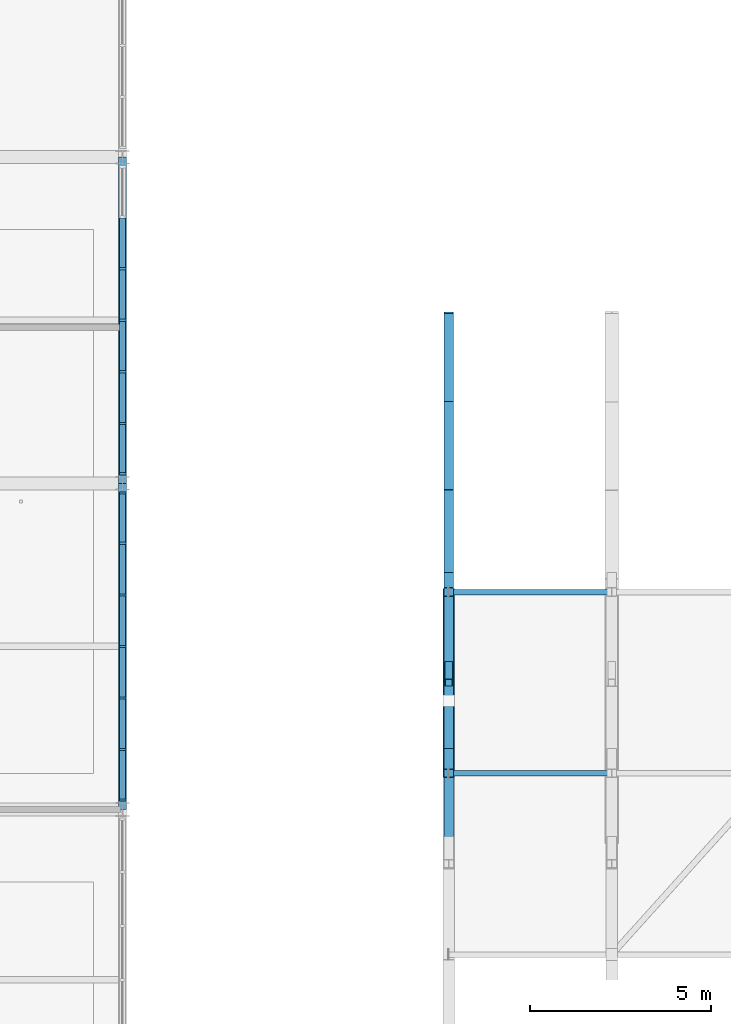
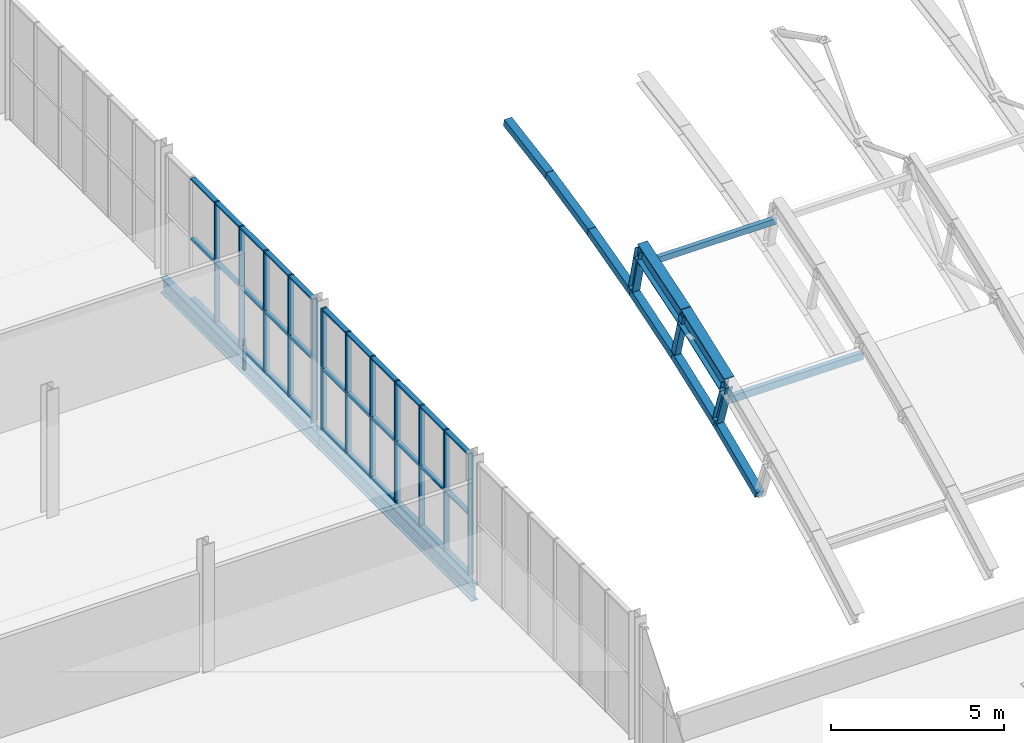
# One storey, part 31 of 103: 56 members, 4 beams, 2 elements without a shape of their own.
"""IFC4 building model written with IfcOpenShell, lengths in metres."""

import ifcopenshell
import ifcopenshell.guid

model = None  # the IFC model being written
_history = None  # IfcOwnerHistory: only IFC2X3 demands one
_inside = {}  # id of a spatial element -> (the spatial element, [elements in it])
_under = {}  # id of a project, library or spatial element -> (it, [spatial elements below it])
_declared = {}  # id of a project -> (the project, [libraries it declares])
_typed = {}  # id of a type object -> (the type object, [elements of that type])
_made_of = {}  # id of a material, layer set ... -> (it, [elements and type objects made of it])


def new_model(schema):
    """Start an empty IFC model of exactly this schema.

    Asked for "IFC4X3", IfcOpenShell would pick the latest addendum, in which some entities
    have other attributes; the version numbers below select the first issue.
    IFC2X3 requires an IfcOwnerHistory on every rooted entity: one is made here for all.
    """
    global model, _history
    if schema == "IFC4X3":
        model = ifcopenshell.file(schema_version=(4, 3, 0, 0))
    else:
        model = ifcopenshell.file(schema=schema)
    _inside.clear()
    _under.clear()
    _declared.clear()
    _typed.clear()
    _made_of.clear()
    _history = None
    if model.schema == "IFC2X3":
        org = make("IfcOrganization", Name="unknown")
        user = make(
            "IfcPersonAndOrganization",
            ThePerson=make("IfcPerson", FamilyName="unknown"),
            TheOrganization=org,
        )
        app = make(
            "IfcApplication",
            ApplicationDeveloper=org,
            Version="unknown",
            ApplicationFullName="unknown",
            ApplicationIdentifier="unknown",
        )
        _history = make(
            "IfcOwnerHistory",
            OwningUser=user,
            OwningApplication=app,
            ChangeAction="ADDED",
            CreationDate=0,
        )
    return model


def make(cls, **values):
    """One entity of the class cls with the attributes given. An attribute that is None is left unset."""
    return model.create_entity(
        cls, **{name: value for name, value in values.items() if value is not None}
    )


def rooted(cls, **values):
    """An entity with a GlobalId (a new one), such as an element, a storey or a relation."""
    return make(cls, GlobalId=ifcopenshell.guid.new(), OwnerHistory=_history, **values)


def si_unit(unit_type, name, prefix=None):
    """IfcSIUnit, for example si_unit("LENGTHUNIT", "METRE", prefix="MILLI")."""
    return make("IfcSIUnit", UnitType=unit_type, Prefix=prefix, Name=name)


def assignment(units):
    """IfcUnitAssignment: the units of a project."""
    return None if units is None else make("IfcUnitAssignment", Units=units)


def point(xyz):
    """IfcCartesianPoint."""
    return None if xyz is None else make("IfcCartesianPoint", Coordinates=xyz)


def direction(xyz):
    """IfcDirection."""
    return None if xyz is None else make("IfcDirection", DirectionRatios=xyz)


def frame(location, z_axis=None, x_axis=None):
    """IfcAxis2Placement3D, a coordinate frame: its origin and axes. An axis left out is left unset."""
    return make(
        "IfcAxis2Placement3D",
        Location=point(location),
        Axis=direction(z_axis),
        RefDirection=direction(x_axis),
    )


def frame_2d(location, x_axis=None):
    """IfcAxis2Placement2D, a coordinate frame in the plane: its origin and x axis."""
    return make(
        "IfcAxis2Placement2D", Location=point(location), RefDirection=direction(x_axis)
    )


def origin():
    """The frame at (0, 0, 0) with its axes left unset."""
    return frame((0.0, 0.0, 0.0))


def origin_2d():
    """The frame at (0, 0) in the plane with its x axis left unset."""
    return frame_2d((0.0, 0.0))


def place(relative_to, where):
    """IfcLocalPlacement: puts the frame where relative to a parent placement (None: the world)."""
    return make(
        "IfcLocalPlacement", PlacementRelTo=relative_to, RelativePlacement=where
    )


def context(
    kind, dimensions, precision=None, world=None, true_north=None, identifier=None
):
    """IfcGeometricRepresentationContext, for example the 3D "Model" context."""
    return make(
        "IfcGeometricRepresentationContext",
        ContextIdentifier=identifier,
        ContextType=kind,
        CoordinateSpaceDimension=dimensions,
        Precision=precision,
        WorldCoordinateSystem=world,
        TrueNorth=true_north,
    )


def subcontext(parent, identifier, kind, view, scale=None):
    """IfcGeometricRepresentationSubContext, for example "Body" below "Model"."""
    return make(
        "IfcGeometricRepresentationSubContext",
        ContextIdentifier=identifier,
        ContextType=kind,
        ParentContext=parent,
        TargetScale=scale,
        TargetView=view,
    )


def project(units=None, contexts=None):
    """IfcProject with its units and contexts."""
    return rooted(
        "IfcProject",
        Name="project",
        RepresentationContexts=contexts,
        UnitsInContext=assignment(units),
    )


def spatial(cls, under=None, at=None, **own):
    """A site, building, storey or space (cls), placed at a placement, below another one or the project."""
    s = rooted(cls, ObjectPlacement=at, **own)
    if under is not None:
        _under.setdefault(under.id(), (under, []))[1].append(s)
    return s


def profile(cls, at=None, kind="AREA", **sizes):
    """A parametric profile (cls). Its sizes go by their IFC names, for example OverallWidth=200.0."""
    return make(cls, ProfileType=kind, Position=at, **sizes)


def rectangle(**sizes):
    """IfcRectangleProfileDef."""
    return profile("IfcRectangleProfileDef", **sizes)


def hollow_rectangle(**sizes):
    """IfcRectangleHollowProfileDef."""
    return profile("IfcRectangleHollowProfileDef", **sizes)


def i_section(**sizes):
    """IfcIShapeProfileDef."""
    return profile("IfcIShapeProfileDef", **sizes)


def extrude(swept, where, along, depth):
    """IfcExtrudedAreaSolid: the profile swept, set in the frame where, extruded along a direction by depth."""
    return make(
        "IfcExtrudedAreaSolid",
        SweptArea=swept,
        Position=where,
        ExtrudedDirection=direction(along),
        Depth=depth,
    )


def shape(context_of_items, identifier, shape_type, items):
    """IfcShapeRepresentation: the items that make up one representation, for example the "Body"."""
    return make(
        "IfcShapeRepresentation",
        ContextOfItems=context_of_items,
        RepresentationIdentifier=identifier,
        RepresentationType=shape_type,
        Items=items,
    )


def material(Name=None, Category=None):
    """IfcMaterial."""
    return make("IfcMaterial", Name=Name, Category=Category)


def layer(
    of_material, thickness, ventilated=None, Name=None, Category=None, Priority=None
):
    """IfcMaterialLayer: one layer of a wall or slab, of a material (None: an air gap)."""
    return make(
        "IfcMaterialLayer",
        Material=of_material,
        LayerThickness=thickness,
        IsVentilated=ventilated,
        Name=Name,
        Category=Category,
        Priority=Priority,
    )


def layer_set(layers, Name=None):
    """IfcMaterialLayerSet."""
    return make("IfcMaterialLayerSet", MaterialLayers=layers, LayerSetName=Name)


def material_profile(
    of_material, cross_section, Name=None, Category=None, Priority=None
):
    """IfcMaterialProfile: a cross section and its material."""
    return make(
        "IfcMaterialProfile",
        Name=Name,
        Material=of_material,
        Profile=cross_section,
        Priority=Priority,
        Category=Category,
    )


def profile_set(profiles, Name=None, composite=None):
    """IfcMaterialProfileSet."""
    return make(
        "IfcMaterialProfileSet",
        Name=Name,
        MaterialProfiles=profiles,
        CompositeProfile=composite,
    )


def made_of(thing, what):
    """Note that an element or type object is made of a material, layer set ...; save() writes the relation."""
    if what is not None:
        _made_of.setdefault(what.id(), (what, []))[1].append(thing)
    return thing


def type_object(cls, material=None, **own):
    """A type object (cls), such as IfcWallType, which elements share."""
    return made_of(rooted(cls, **own), material)


def element(
    cls,
    number,
    at=None,
    inside=None,
    cuts=None,
    type_object=None,
    material=None,
    context=None,
    identifier="Body",
    shape_type=None,
    held_by="IfcProductDefinitionShape",
    body=None,
    shapes=None,
    **own,
):
    """One element of the class cls, such as IfcWall. Its Tag is "e" and its number.

    at: its placement. inside: the storey or other place that contains it. cuts: it is an
    opening in that element (IfcRelVoidsElement). A single representation is given by context,
    identifier, shape_type and body (its items); several are given by shapes. held_by: the class
    of the entity that holds the representations. save() writes the other relations.
    """
    e = rooted(cls, Tag="e%d" % number, ObjectPlacement=at, **own)
    if body is not None:
        shapes = [shape(context, identifier, shape_type, body)]
    if shapes is not None:
        e.Representation = make(held_by, Representations=shapes)
    if inside is not None:
        _inside.setdefault(inside.id(), (inside, []))[1].append(e)
    if cuts is not None:
        rooted(
            "IfcRelVoidsElement", RelatingBuildingElement=cuts, RelatedOpeningElement=e
        )
    if type_object is not None:
        _typed.setdefault(type_object.id(), (type_object, []))[1].append(e)
    return made_of(e, material)


def aggregate(whole, parts):
    """IfcRelAggregates: a whole, such as a stair, and the parts it consists of."""
    return rooted("IfcRelAggregates", RelatingObject=whole, RelatedObjects=parts)


def save(model, path):
    """Write the relations noted so far, then the file.

    IfcRelAggregates (storeys below a building ...), IfcRelContainedInSpatialStructure (elements
    in a storey), IfcRelDefinesByType, IfcRelAssociatesMaterial and IfcRelDeclares: one each for
    every whole, place, type object, material and project.
    """
    for whole, parts in _under.values():
        aggregate(whole, parts)
    for where, things in _inside.values():
        rooted(
            "IfcRelContainedInSpatialStructure",
            RelatedElements=things,
            RelatingStructure=where,
        )
    for kind, things in _typed.values():
        rooted("IfcRelDefinesByType", RelatedObjects=things, RelatingType=kind)
    for what, things in _made_of.values():
        rooted("IfcRelAssociatesMaterial", RelatedObjects=things, RelatingMaterial=what)
    for by, libraries in _declared.values():
        rooted("IfcRelDeclares", RelatingContext=by, RelatedDefinitions=libraries)
    model.write(path)


model = new_model("IFC4")

# Units and contexts
model_context = context("Model", 3, precision=1e-05, world=origin(), true_north=direction((0.0, 1.0)))
body_context = subcontext(model_context, "Body", "Model", "MODEL_VIEW")
ifc_project = project(units=[si_unit("LENGTHUNIT", "METRE"), si_unit("AREAUNIT", "SQUARE_METRE"), si_unit("VOLUMEUNIT", "CUBIC_METRE"), si_unit("PLANEANGLEUNIT", "RADIAN"), si_unit("MASSUNIT", "GRAM", prefix="KILO")], contexts=[model_context])

# Site, building, storey
site_placement = place(None, origin())
site = spatial("IfcSite", under=ifc_project, at=site_placement, CompositionType="ELEMENT")
building_placement = place(site_placement, origin())
building = spatial("IfcBuilding", under=site, at=building_placement, Name="Cazmaro Siding Exhibition Halls", CompositionType="ELEMENT")
storey_placement = place(building_placement, frame((0.0, 0.0, 16.5)))
storey = spatial("IfcBuildingStorey", under=building, at=storey_placement, Name="L03", CompositionType="ELEMENT", Elevation=16.5)

# Beams
ifc_material_1 = material(Name="Steel ASTM A992 Grade 50", Category="steel")
ifc_material_profile_1 = material_profile(ifc_material_1, i_section(OverallWidth=0.327880859375, OverallDepth=0.626953125, WebThickness=0.01708984375, FlangeThickness=0.028076171875, at=origin_2d()), Name="W24X146")
ifc_profile_set_1 = profile_set([ifc_material_profile_1], Name="Steel ASTM A992 Grade 50")
beam_type_1 = type_object("IfcBeamType", Name="AR-01", PredefinedType="USERDEFINED", material=ifc_profile_set_1)
beam_1_placement = place(storey_placement, frame((45.0, 74.0, 3.1220703125), z_axis=(0.0, 0.936509460339, 0.350642311615), x_axis=(-1.0, 0.0, 0.0)))
element("IfcBeam", 1, at=beam_1_placement, inside=storey, type_object=beam_type_1, Name="Space frame barrel vault arched rib AR-01 BM-0539", ObjectType="ARCHED RIB", PredefinedType="USERDEFINED", context=body_context, shape_type="SweptSolid", body=[
    extrude(i_section(OverallWidth=0.327880859375, OverallDepth=0.626953125, WebThickness=0.01708984375, FlangeThickness=0.028076171875, at=origin_2d()), origin(), (0.0, 0.0, 1.0), 2.66943359375),
])
beam_2_placement = place(storey_placement, frame((45.0, 76.5, 4.05810546875), z_axis=(0.0, 0.952769241759, 0.303695195811), x_axis=(-1.0, 0.0, 0.0)))
element("IfcBeam", 2, at=beam_2_placement, inside=storey, type_object=beam_type_1, Name="Space frame barrel vault arched rib AR-01 BM-0540", ObjectType="ARCHED RIB", PredefinedType="USERDEFINED", context=body_context, shape_type="SweptSolid", body=[
    extrude(i_section(OverallWidth=0.327880859375, OverallDepth=0.626953125, WebThickness=0.01708984375, FlangeThickness=0.028076171875, at=origin_2d()), origin(), (0.0, 0.0, 1.0), 2.6240234375),
])
ifc_material_2 = material(Name="Steel ASTM A992 Grade 50", Category="steel")
ifc_material_profile_2 = material_profile(ifc_material_2, i_section(OverallWidth=0.214111328125, OverallDepth=0.549072265625, WebThickness=0.014892578125, FlangeThickness=0.02392578125, at=origin_2d()), Name="W21X93")
ifc_profile_set_2 = profile_set([ifc_material_profile_2], Name="Steel ASTM A992 Grade 50")
beam_type_2 = type_object("IfcBeamType", Name="B-01", PredefinedType="BEAM", material=ifc_profile_set_2)
for number, where, z_axis, x_axis, name in (
    (3, (36.0, 73.0, -0.493896484375), (0.0, 1.0, 0.0), (-1.0, 0.0, 0.0), "Beam B-01 BM-2272"),
    (4, (36.0, 82.0, -0.493896484375), (0.0, 1.0, 0.0), (-1.0, 0.0, 0.0), "Beam B-01 BM-2273"),
):
    element("IfcBeam", number, at=place(storey_placement, frame(where, z_axis=z_axis, x_axis=x_axis)), inside=storey, type_object=beam_type_2, Name=name, PredefinedType="BEAM", context=body_context, shape_type="SweptSolid", body=[
        extrude(i_section(OverallWidth=0.214111328125, OverallDepth=0.549072265625, WebThickness=0.014892578125, FlangeThickness=0.02392578125, at=origin_2d()), origin(), (0.0, 0.0, 1.0), 9.0),
    ])

# Curtain wall, members
ifc_material_3 = material(Name="Anodized Bronze Aluminum and Solar-Control Low-E Glazing", Category="aluminium")
ifc_layer = layer(ifc_material_3, 0.179931640625)
ifc_layer_set = layer_set([ifc_layer], Name="Anodized Bronze Aluminum and Solar-Control Low-E Glazing")
curtain_wall_type = type_object("IfcCurtainWallType", Name="CWS-01", PredefinedType="USERDEFINED", material=ifc_layer_set)
curtain_wall_1_placement = place(storey_placement, origin())
curtain_wall_1 = element("IfcCurtainWall", 5, at=curtain_wall_1_placement, inside=storey, type_object=curtain_wall_type, Name="Glazed Curtain Wall CWS-01 CW-250", ObjectType="GLAZED CURTAIN WALL", PredefinedType="USERDEFINED")
ifc_material_4 = material(Name="Anodized Bronze Extruded Aluminum", Category="aluminium")
ifc_material_profile_3 = material_profile(ifc_material_4, rectangle(XDim=0.179931640625, YDim=0.06005859375, at=origin_2d()), Name="CWM-01")
ifc_profile_set_3 = profile_set([ifc_material_profile_3], Name="Anodized Bronze Extruded Aluminum")
member_type_1 = type_object("IfcMemberType", Name="CWM-01", PredefinedType="MULLION", material=ifc_profile_set_3)
member_1_placement = place(storey_placement, frame((36.0, 73.262939453125, 0.0), z_axis=(0.0, 0.0, 1.0), x_axis=(-1.0, 0.0, 0.0)))
member_1 = element("IfcMember", 6, at=member_1_placement, type_object=member_type_1, Name="CWS-01 mullion 1", PredefinedType="MULLION", context=body_context, shape_type="SweptSolid", body=[
    extrude(rectangle(XDim=0.179931640625, YDim=0.06005859375, at=origin_2d()), origin(), (0.0, 0.0, 1.0), 4.280029296875),
])
member_2_placement = place(storey_placement, frame((36.0, 74.6552734375, 0.0), z_axis=(0.0, 0.0, 1.0), x_axis=(-1.0, 0.0, 0.0)))
member_2 = element("IfcMember", 7, at=member_2_placement, type_object=member_type_1, Name="CWS-01 mullion 2", PredefinedType="MULLION", context=body_context, shape_type="SweptSolid", body=[
    extrude(rectangle(XDim=0.179931640625, YDim=0.06005859375, at=origin_2d()), origin(), (0.0, 0.0, 1.0), 4.280029296875),
])
member_3_placement = place(storey_placement, frame((36.0, 76.07763671875, 0.0), z_axis=(0.0, 0.0, 1.0), x_axis=(-1.0, 0.0, 0.0)))
member_3 = element("IfcMember", 8, at=member_3_placement, type_object=member_type_1, Name="CWS-01 mullion 3", PredefinedType="MULLION", context=body_context, shape_type="SweptSolid", body=[
    extrude(rectangle(XDim=0.179931640625, YDim=0.06005859375, at=origin_2d()), origin(), (0.0, 0.0, 1.0), 4.280029296875),
])
member_4_placement = place(storey_placement, frame((36.0, 77.5, 0.0), z_axis=(0.0, 0.0, 1.0), x_axis=(-1.0, 0.0, 0.0)))
member_4 = element("IfcMember", 9, at=member_4_placement, type_object=member_type_1, Name="CWS-01 mullion 4", PredefinedType="MULLION", context=body_context, shape_type="SweptSolid", body=[
    extrude(rectangle(XDim=0.179931640625, YDim=0.06005859375, at=origin_2d()), origin(), (0.0, 0.0, 1.0), 4.280029296875),
])
member_5_placement = place(storey_placement, frame((36.0, 78.92236328125, 0.0), z_axis=(0.0, 0.0, 1.0), x_axis=(-1.0, 0.0, 0.0)))
member_5 = element("IfcMember", 10, at=member_5_placement, type_object=member_type_1, Name="CWS-01 mullion 5", PredefinedType="MULLION", context=body_context, shape_type="SweptSolid", body=[
    extrude(rectangle(XDim=0.179931640625, YDim=0.06005859375, at=origin_2d()), origin(), (0.0, 0.0, 1.0), 4.280029296875),
])
member_6_placement = place(storey_placement, frame((36.0, 80.3447265625, 0.0), z_axis=(0.0, 0.0, 1.0), x_axis=(-1.0, 0.0, 0.0)))
member_6 = element("IfcMember", 11, at=member_6_placement, type_object=member_type_1, Name="CWS-01 mullion 6", PredefinedType="MULLION", context=body_context, shape_type="SweptSolid", body=[
    extrude(rectangle(XDim=0.179931640625, YDim=0.06005859375, at=origin_2d()), origin(), (0.0, 0.0, 1.0), 4.280029296875),
])
member_7_placement = place(storey_placement, frame((36.0, 81.737060546875, 0.0), z_axis=(0.0, 0.0, 1.0), x_axis=(-1.0, 0.0, 0.0)))
member_7 = element("IfcMember", 12, at=member_7_placement, type_object=member_type_1, Name="CWS-01 mullion 7", PredefinedType="MULLION", context=body_context, shape_type="SweptSolid", body=[
    extrude(rectangle(XDim=0.179931640625, YDim=0.06005859375, at=origin_2d()), origin(), (0.0, 0.0, 1.0), 4.280029296875),
])

curtain_wall_2_placement = place(storey_placement, origin())
curtain_wall_2 = element("IfcCurtainWall", 13, at=curtain_wall_2_placement, inside=storey, type_object=curtain_wall_type, Name="Glazed Curtain Wall CWS-01 CW-252", ObjectType="GLAZED CURTAIN WALL", PredefinedType="USERDEFINED")
member_8_placement = place(storey_placement, frame((36.0, 82.262939453125, 0.0), z_axis=(0.0, 0.0, 1.0), x_axis=(-1.0, 0.0, 0.0)))
member_8 = element("IfcMember", 14, at=member_8_placement, type_object=member_type_1, Name="CWS-01 mullion 1", PredefinedType="MULLION", context=body_context, shape_type="SweptSolid", body=[
    extrude(rectangle(XDim=0.179931640625, YDim=0.06005859375, at=origin_2d()), origin(), (0.0, 0.0, 1.0), 4.280029296875),
])
member_9_placement = place(storey_placement, frame((36.0, 83.6552734375, 0.0), z_axis=(0.0, 0.0, 1.0), x_axis=(-1.0, 0.0, 0.0)))
member_9 = element("IfcMember", 15, at=member_9_placement, type_object=member_type_1, Name="CWS-01 mullion 2", PredefinedType="MULLION", context=body_context, shape_type="SweptSolid", body=[
    extrude(rectangle(XDim=0.179931640625, YDim=0.06005859375, at=origin_2d()), origin(), (0.0, 0.0, 1.0), 4.280029296875),
])
member_10_placement = place(storey_placement, frame((36.0, 85.07763671875, 0.0), z_axis=(0.0, 0.0, 1.0), x_axis=(-1.0, 0.0, 0.0)))
member_10 = element("IfcMember", 16, at=member_10_placement, type_object=member_type_1, Name="CWS-01 mullion 3", PredefinedType="MULLION", context=body_context, shape_type="SweptSolid", body=[
    extrude(rectangle(XDim=0.179931640625, YDim=0.06005859375, at=origin_2d()), origin(), (0.0, 0.0, 1.0), 4.280029296875),
])
member_11_placement = place(storey_placement, frame((36.0, 86.5, 0.0), z_axis=(0.0, 0.0, 1.0), x_axis=(-1.0, 0.0, 0.0)))
member_11 = element("IfcMember", 17, at=member_11_placement, type_object=member_type_1, Name="CWS-01 mullion 4", PredefinedType="MULLION", context=body_context, shape_type="SweptSolid", body=[
    extrude(rectangle(XDim=0.179931640625, YDim=0.06005859375, at=origin_2d()), origin(), (0.0, 0.0, 1.0), 4.280029296875),
])
member_12_placement = place(storey_placement, frame((36.0, 87.92236328125, 0.0), z_axis=(0.0, 0.0, 1.0), x_axis=(-1.0, 0.0, 0.0)))
member_12 = element("IfcMember", 18, at=member_12_placement, type_object=member_type_1, Name="CWS-01 mullion 5", PredefinedType="MULLION", context=body_context, shape_type="SweptSolid", body=[
    extrude(rectangle(XDim=0.179931640625, YDim=0.06005859375, at=origin_2d()), origin(), (0.0, 0.0, 1.0), 4.280029296875),
])

# Member
ifc_material_5 = material(Name="Anodized Bronze Extruded Aluminum", Category="aluminium")
ifc_material_profile_4 = material_profile(ifc_material_5, rectangle(XDim=0.159912109375, YDim=0.06005859375, at=origin_2d()), Name="CWT-01")
ifc_profile_set_4 = profile_set([ifc_material_profile_4], Name="Anodized Bronze Extruded Aluminum")
member_type_2 = type_object("IfcMemberType", Name="CWT-01", PredefinedType="MULLION", material=ifc_profile_set_4)
member_13_placement = place(storey_placement, frame((36.0, 73.29296875, 0.030029296875), z_axis=(0.0, 1.0, 0.0), x_axis=(-1.0, 0.0, 0.0)))
member_13 = element("IfcMember", 19, at=member_13_placement, type_object=member_type_2, Name="CWS-01 transom 1.1", ObjectType="TRANSOM", PredefinedType="USERDEFINED", context=body_context, shape_type="SweptSolid", body=[
    extrude(rectangle(XDim=0.159912109375, YDim=0.06005859375, at=origin_2d()), origin(), (0.0, 0.0, 1.0), 1.332275390625),
])

member_14_placement = place(storey_placement, frame((36.0, 73.29296875, 2.139892578125), z_axis=(0.0, 1.0, 0.0), x_axis=(-1.0, 0.0, 0.0)))
member_14 = element("IfcMember", 20, at=member_14_placement, type_object=member_type_2, Name="CWS-01 transom 1.2", ObjectType="TRANSOM", PredefinedType="USERDEFINED", context=body_context, shape_type="SweptSolid", body=[
    extrude(rectangle(XDim=0.159912109375, YDim=0.06005859375, at=origin_2d()), origin(), (0.0, 0.0, 1.0), 1.332275390625),
])

member_15_placement = place(storey_placement, frame((36.0, 73.29296875, 4.25), z_axis=(0.0, 1.0, 0.0), x_axis=(-1.0, 0.0, 0.0)))
member_15 = element("IfcMember", 21, at=member_15_placement, type_object=member_type_2, Name="CWS-01 transom 1.3", ObjectType="TRANSOM", PredefinedType="USERDEFINED", context=body_context, shape_type="SweptSolid", body=[
    extrude(rectangle(XDim=0.159912109375, YDim=0.06005859375, at=origin_2d()), origin(), (0.0, 0.0, 1.0), 1.332275390625),
])

member_16_placement = place(storey_placement, frame((36.0, 74.685302734375, 0.030029296875), z_axis=(0.0, 1.0, 0.0), x_axis=(-1.0, 0.0, 0.0)))
member_16 = element("IfcMember", 22, at=member_16_placement, type_object=member_type_2, Name="CWS-01 transom 2.1", ObjectType="TRANSOM", PredefinedType="USERDEFINED", context=body_context, shape_type="SweptSolid", body=[
    extrude(rectangle(XDim=0.159912109375, YDim=0.06005859375, at=origin_2d()), origin(), (0.0, 0.0, 1.0), 1.3623046875),
])

member_17_placement = place(storey_placement, frame((36.0, 74.685302734375, 2.139892578125), z_axis=(0.0, 1.0, 0.0), x_axis=(-1.0, 0.0, 0.0)))
member_17 = element("IfcMember", 23, at=member_17_placement, type_object=member_type_2, Name="CWS-01 transom 2.2", ObjectType="TRANSOM", PredefinedType="USERDEFINED", context=body_context, shape_type="SweptSolid", body=[
    extrude(rectangle(XDim=0.159912109375, YDim=0.06005859375, at=origin_2d()), origin(), (0.0, 0.0, 1.0), 1.3623046875),
])

member_18_placement = place(storey_placement, frame((36.0, 74.685302734375, 4.25), z_axis=(0.0, 1.0, 0.0), x_axis=(-1.0, 0.0, 0.0)))
member_18 = element("IfcMember", 24, at=member_18_placement, type_object=member_type_2, Name="CWS-01 transom 2.3", ObjectType="TRANSOM", PredefinedType="USERDEFINED", context=body_context, shape_type="SweptSolid", body=[
    extrude(rectangle(XDim=0.159912109375, YDim=0.06005859375, at=origin_2d()), origin(), (0.0, 0.0, 1.0), 1.3623046875),
])

member_19_placement = place(storey_placement, frame((36.0, 76.107666015625, 0.030029296875), z_axis=(0.0, 1.0, 0.0), x_axis=(-1.0, 0.0, 0.0)))
member_19 = element("IfcMember", 25, at=member_19_placement, type_object=member_type_2, Name="CWS-01 transom 3.1", ObjectType="TRANSOM", PredefinedType="USERDEFINED", context=body_context, shape_type="SweptSolid", body=[
    extrude(rectangle(XDim=0.159912109375, YDim=0.06005859375, at=origin_2d()), origin(), (0.0, 0.0, 1.0), 1.3623046875),
])

member_20_placement = place(storey_placement, frame((36.0, 76.107666015625, 2.139892578125), z_axis=(0.0, 1.0, 0.0), x_axis=(-1.0, 0.0, 0.0)))
member_20 = element("IfcMember", 26, at=member_20_placement, type_object=member_type_2, Name="CWS-01 transom 3.2", ObjectType="TRANSOM", PredefinedType="USERDEFINED", context=body_context, shape_type="SweptSolid", body=[
    extrude(rectangle(XDim=0.159912109375, YDim=0.06005859375, at=origin_2d()), origin(), (0.0, 0.0, 1.0), 1.3623046875),
])

member_21_placement = place(storey_placement, frame((36.0, 76.107666015625, 4.25), z_axis=(0.0, 1.0, 0.0), x_axis=(-1.0, 0.0, 0.0)))
member_21 = element("IfcMember", 27, at=member_21_placement, type_object=member_type_2, Name="CWS-01 transom 3.3", ObjectType="TRANSOM", PredefinedType="USERDEFINED", context=body_context, shape_type="SweptSolid", body=[
    extrude(rectangle(XDim=0.159912109375, YDim=0.06005859375, at=origin_2d()), origin(), (0.0, 0.0, 1.0), 1.3623046875),
])

member_22_placement = place(storey_placement, frame((36.0, 77.530029296875, 0.030029296875), z_axis=(0.0, 1.0, 0.0), x_axis=(-1.0, 0.0, 0.0)))
member_22 = element("IfcMember", 28, at=member_22_placement, type_object=member_type_2, Name="CWS-01 transom 4.1", ObjectType="TRANSOM", PredefinedType="USERDEFINED", context=body_context, shape_type="SweptSolid", body=[
    extrude(rectangle(XDim=0.159912109375, YDim=0.06005859375, at=origin_2d()), origin(), (0.0, 0.0, 1.0), 1.3623046875),
])

member_23_placement = place(storey_placement, frame((36.0, 77.530029296875, 2.139892578125), z_axis=(0.0, 1.0, 0.0), x_axis=(-1.0, 0.0, 0.0)))
member_23 = element("IfcMember", 29, at=member_23_placement, type_object=member_type_2, Name="CWS-01 transom 4.2", ObjectType="TRANSOM", PredefinedType="USERDEFINED", context=body_context, shape_type="SweptSolid", body=[
    extrude(rectangle(XDim=0.159912109375, YDim=0.06005859375, at=origin_2d()), origin(), (0.0, 0.0, 1.0), 1.3623046875),
])

member_24_placement = place(storey_placement, frame((36.0, 77.530029296875, 4.25), z_axis=(0.0, 1.0, 0.0), x_axis=(-1.0, 0.0, 0.0)))
member_24 = element("IfcMember", 30, at=member_24_placement, type_object=member_type_2, Name="CWS-01 transom 4.3", ObjectType="TRANSOM", PredefinedType="USERDEFINED", context=body_context, shape_type="SweptSolid", body=[
    extrude(rectangle(XDim=0.159912109375, YDim=0.06005859375, at=origin_2d()), origin(), (0.0, 0.0, 1.0), 1.3623046875),
])

member_25_placement = place(storey_placement, frame((36.0, 78.952392578125, 0.030029296875), z_axis=(0.0, 1.0, 0.0), x_axis=(-1.0, 0.0, 0.0)))
member_25 = element("IfcMember", 31, at=member_25_placement, type_object=member_type_2, Name="CWS-01 transom 5.1", ObjectType="TRANSOM", PredefinedType="USERDEFINED", context=body_context, shape_type="SweptSolid", body=[
    extrude(rectangle(XDim=0.159912109375, YDim=0.06005859375, at=origin_2d()), origin(), (0.0, 0.0, 1.0), 1.3623046875),
])

member_26_placement = place(storey_placement, frame((36.0, 78.952392578125, 2.139892578125), z_axis=(0.0, 1.0, 0.0), x_axis=(-1.0, 0.0, 0.0)))
member_26 = element("IfcMember", 32, at=member_26_placement, type_object=member_type_2, Name="CWS-01 transom 5.2", ObjectType="TRANSOM", PredefinedType="USERDEFINED", context=body_context, shape_type="SweptSolid", body=[
    extrude(rectangle(XDim=0.159912109375, YDim=0.06005859375, at=origin_2d()), origin(), (0.0, 0.0, 1.0), 1.3623046875),
])

member_27_placement = place(storey_placement, frame((36.0, 78.952392578125, 4.25), z_axis=(0.0, 1.0, 0.0), x_axis=(-1.0, 0.0, 0.0)))
member_27 = element("IfcMember", 33, at=member_27_placement, type_object=member_type_2, Name="CWS-01 transom 5.3", ObjectType="TRANSOM", PredefinedType="USERDEFINED", context=body_context, shape_type="SweptSolid", body=[
    extrude(rectangle(XDim=0.159912109375, YDim=0.06005859375, at=origin_2d()), origin(), (0.0, 0.0, 1.0), 1.3623046875),
])

member_28_placement = place(storey_placement, frame((36.0, 80.374755859375, 0.030029296875), z_axis=(0.0, 1.0, 0.0), x_axis=(-1.0, 0.0, 0.0)))
member_28 = element("IfcMember", 34, at=member_28_placement, type_object=member_type_2, Name="CWS-01 transom 6.1", ObjectType="TRANSOM", PredefinedType="USERDEFINED", context=body_context, shape_type="SweptSolid", body=[
    extrude(rectangle(XDim=0.159912109375, YDim=0.06005859375, at=origin_2d()), origin(), (0.0, 0.0, 1.0), 1.332275390625),
])

member_29_placement = place(storey_placement, frame((36.0, 80.374755859375, 2.139892578125), z_axis=(0.0, 1.0, 0.0), x_axis=(-1.0, 0.0, 0.0)))
member_29 = element("IfcMember", 35, at=member_29_placement, type_object=member_type_2, Name="CWS-01 transom 6.2", ObjectType="TRANSOM", PredefinedType="USERDEFINED", context=body_context, shape_type="SweptSolid", body=[
    extrude(rectangle(XDim=0.159912109375, YDim=0.06005859375, at=origin_2d()), origin(), (0.0, 0.0, 1.0), 1.332275390625),
])

member_30_placement = place(storey_placement, frame((36.0, 80.374755859375, 4.25), z_axis=(0.0, 1.0, 0.0), x_axis=(-1.0, 0.0, 0.0)))
member_30 = element("IfcMember", 36, at=member_30_placement, type_object=member_type_2, Name="CWS-01 transom 6.3", ObjectType="TRANSOM", PredefinedType="USERDEFINED", context=body_context, shape_type="SweptSolid", body=[
    extrude(rectangle(XDim=0.159912109375, YDim=0.06005859375, at=origin_2d()), origin(), (0.0, 0.0, 1.0), 1.332275390625),
])

aggregate(curtain_wall_1, [member_1, member_2, member_3, member_4, member_5, member_6, member_7, member_13, member_14, member_15, member_16, member_17, member_18, member_19, member_20, member_21, member_22, member_23, member_24, member_25, member_26, member_27, member_28, member_29, member_30])

member_31_placement = place(storey_placement, frame((36.0, 82.29296875, 0.030029296875), z_axis=(0.0, 1.0, 0.0), x_axis=(-1.0, 0.0, 0.0)))
member_31 = element("IfcMember", 37, at=member_31_placement, type_object=member_type_2, Name="CWS-01 transom 1.1", ObjectType="TRANSOM", PredefinedType="USERDEFINED", context=body_context, shape_type="SweptSolid", body=[
    extrude(rectangle(XDim=0.159912109375, YDim=0.06005859375, at=origin_2d()), origin(), (0.0, 0.0, 1.0), 1.332275390625),
])

member_32_placement = place(storey_placement, frame((36.0, 82.29296875, 2.139892578125), z_axis=(0.0, 1.0, 0.0), x_axis=(-1.0, 0.0, 0.0)))
member_32 = element("IfcMember", 38, at=member_32_placement, type_object=member_type_2, Name="CWS-01 transom 1.2", ObjectType="TRANSOM", PredefinedType="USERDEFINED", context=body_context, shape_type="SweptSolid", body=[
    extrude(rectangle(XDim=0.159912109375, YDim=0.06005859375, at=origin_2d()), origin(), (0.0, 0.0, 1.0), 1.332275390625),
])

member_33_placement = place(storey_placement, frame((36.0, 82.29296875, 4.25), z_axis=(0.0, 1.0, 0.0), x_axis=(-1.0, 0.0, 0.0)))
member_33 = element("IfcMember", 39, at=member_33_placement, type_object=member_type_2, Name="CWS-01 transom 1.3", ObjectType="TRANSOM", PredefinedType="USERDEFINED", context=body_context, shape_type="SweptSolid", body=[
    extrude(rectangle(XDim=0.159912109375, YDim=0.06005859375, at=origin_2d()), origin(), (0.0, 0.0, 1.0), 1.332275390625),
])

member_34_placement = place(storey_placement, frame((36.0, 83.685302734375, 0.030029296875), z_axis=(0.0, 1.0, 0.0), x_axis=(-1.0, 0.0, 0.0)))
member_34 = element("IfcMember", 40, at=member_34_placement, type_object=member_type_2, Name="CWS-01 transom 2.1", ObjectType="TRANSOM", PredefinedType="USERDEFINED", context=body_context, shape_type="SweptSolid", body=[
    extrude(rectangle(XDim=0.159912109375, YDim=0.06005859375, at=origin_2d()), origin(), (0.0, 0.0, 1.0), 1.3623046875),
])

member_35_placement = place(storey_placement, frame((36.0, 83.685302734375, 2.139892578125), z_axis=(0.0, 1.0, 0.0), x_axis=(-1.0, 0.0, 0.0)))
member_35 = element("IfcMember", 41, at=member_35_placement, type_object=member_type_2, Name="CWS-01 transom 2.2", ObjectType="TRANSOM", PredefinedType="USERDEFINED", context=body_context, shape_type="SweptSolid", body=[
    extrude(rectangle(XDim=0.159912109375, YDim=0.06005859375, at=origin_2d()), origin(), (0.0, 0.0, 1.0), 1.3623046875),
])

member_36_placement = place(storey_placement, frame((36.0, 83.685302734375, 4.25), z_axis=(0.0, 1.0, 0.0), x_axis=(-1.0, 0.0, 0.0)))
member_36 = element("IfcMember", 42, at=member_36_placement, type_object=member_type_2, Name="CWS-01 transom 2.3", ObjectType="TRANSOM", PredefinedType="USERDEFINED", context=body_context, shape_type="SweptSolid", body=[
    extrude(rectangle(XDim=0.159912109375, YDim=0.06005859375, at=origin_2d()), origin(), (0.0, 0.0, 1.0), 1.3623046875),
])

member_37_placement = place(storey_placement, frame((36.0, 85.107666015625, 0.030029296875), z_axis=(0.0, 1.0, 0.0), x_axis=(-1.0, 0.0, 0.0)))
member_37 = element("IfcMember", 43, at=member_37_placement, type_object=member_type_2, Name="CWS-01 transom 3.1", ObjectType="TRANSOM", PredefinedType="USERDEFINED", context=body_context, shape_type="SweptSolid", body=[
    extrude(rectangle(XDim=0.159912109375, YDim=0.06005859375, at=origin_2d()), origin(), (0.0, 0.0, 1.0), 1.3623046875),
])

member_38_placement = place(storey_placement, frame((36.0, 85.107666015625, 2.139892578125), z_axis=(0.0, 1.0, 0.0), x_axis=(-1.0, 0.0, 0.0)))
member_38 = element("IfcMember", 44, at=member_38_placement, type_object=member_type_2, Name="CWS-01 transom 3.2", ObjectType="TRANSOM", PredefinedType="USERDEFINED", context=body_context, shape_type="SweptSolid", body=[
    extrude(rectangle(XDim=0.159912109375, YDim=0.06005859375, at=origin_2d()), origin(), (0.0, 0.0, 1.0), 1.3623046875),
])

member_39_placement = place(storey_placement, frame((36.0, 85.107666015625, 4.25), z_axis=(0.0, 1.0, 0.0), x_axis=(-1.0, 0.0, 0.0)))
member_39 = element("IfcMember", 45, at=member_39_placement, type_object=member_type_2, Name="CWS-01 transom 3.3", ObjectType="TRANSOM", PredefinedType="USERDEFINED", context=body_context, shape_type="SweptSolid", body=[
    extrude(rectangle(XDim=0.159912109375, YDim=0.06005859375, at=origin_2d()), origin(), (0.0, 0.0, 1.0), 1.3623046875),
])

member_40_placement = place(storey_placement, frame((36.0, 86.530029296875, 0.030029296875), z_axis=(0.0, 1.0, 0.0), x_axis=(-1.0, 0.0, 0.0)))
member_40 = element("IfcMember", 46, at=member_40_placement, type_object=member_type_2, Name="CWS-01 transom 4.1", ObjectType="TRANSOM", PredefinedType="USERDEFINED", context=body_context, shape_type="SweptSolid", body=[
    extrude(rectangle(XDim=0.159912109375, YDim=0.06005859375, at=origin_2d()), origin(), (0.0, 0.0, 1.0), 1.3623046875),
])

member_41_placement = place(storey_placement, frame((36.0, 86.530029296875, 2.139892578125), z_axis=(0.0, 1.0, 0.0), x_axis=(-1.0, 0.0, 0.0)))
member_41 = element("IfcMember", 47, at=member_41_placement, type_object=member_type_2, Name="CWS-01 transom 4.2", ObjectType="TRANSOM", PredefinedType="USERDEFINED", context=body_context, shape_type="SweptSolid", body=[
    extrude(rectangle(XDim=0.159912109375, YDim=0.06005859375, at=origin_2d()), origin(), (0.0, 0.0, 1.0), 1.3623046875),
])

member_42_placement = place(storey_placement, frame((36.0, 86.530029296875, 4.25), z_axis=(0.0, 1.0, 0.0), x_axis=(-1.0, 0.0, 0.0)))
member_42 = element("IfcMember", 48, at=member_42_placement, type_object=member_type_2, Name="CWS-01 transom 4.3", ObjectType="TRANSOM", PredefinedType="USERDEFINED", context=body_context, shape_type="SweptSolid", body=[
    extrude(rectangle(XDim=0.159912109375, YDim=0.06005859375, at=origin_2d()), origin(), (0.0, 0.0, 1.0), 1.3623046875),
])

member_43_placement = place(storey_placement, frame((36.0, 87.952392578125, 0.030029296875), z_axis=(0.0, 1.0, 0.0), x_axis=(-1.0, 0.0, 0.0)))
member_43 = element("IfcMember", 49, at=member_43_placement, type_object=member_type_2, Name="CWS-01 transom 5.1", ObjectType="TRANSOM", PredefinedType="USERDEFINED", context=body_context, shape_type="SweptSolid", body=[
    extrude(rectangle(XDim=0.159912109375, YDim=0.06005859375, at=origin_2d()), origin(), (0.0, 0.0, 1.0), 1.3623046875),
])

member_44_placement = place(storey_placement, frame((36.0, 87.952392578125, 2.139892578125), z_axis=(0.0, 1.0, 0.0), x_axis=(-1.0, 0.0, 0.0)))
member_44 = element("IfcMember", 50, at=member_44_placement, type_object=member_type_2, Name="CWS-01 transom 5.2", ObjectType="TRANSOM", PredefinedType="USERDEFINED", context=body_context, shape_type="SweptSolid", body=[
    extrude(rectangle(XDim=0.159912109375, YDim=0.06005859375, at=origin_2d()), origin(), (0.0, 0.0, 1.0), 1.3623046875),
])

member_45_placement = place(storey_placement, frame((36.0, 87.952392578125, 4.25), z_axis=(0.0, 1.0, 0.0), x_axis=(-1.0, 0.0, 0.0)))
member_45 = element("IfcMember", 51, at=member_45_placement, type_object=member_type_2, Name="CWS-01 transom 5.3", ObjectType="TRANSOM", PredefinedType="USERDEFINED", context=body_context, shape_type="SweptSolid", body=[
    extrude(rectangle(XDim=0.159912109375, YDim=0.06005859375, at=origin_2d()), origin(), (0.0, 0.0, 1.0), 1.3623046875),
])

aggregate(curtain_wall_2, [member_8, member_9, member_10, member_11, member_12, member_31, member_32, member_33, member_34, member_35, member_36, member_37, member_38, member_39, member_40, member_41, member_42, member_43, member_44, member_45])

# Members
ifc_material_6 = material(Name="Steel ASTM A500 Grade C", Category="steel")
ifc_material_profile_5 = material_profile(ifc_material_6, hollow_rectangle(XDim=0.152099609375, YDim=0.202880859375, WallThickness=0.011962890625, at=origin_2d()), Name="HSS8X6X1/2")
ifc_profile_set_5 = profile_set([ifc_material_profile_5], Name="Steel ASTM A500 Grade C")
member_type_3 = type_object("IfcMemberType", Name="RP-01", PredefinedType="PURLIN", material=ifc_profile_set_5)
member_46_placement = place(storey_placement, frame((45.0, 79.0, 4.31494140625), z_axis=(1.0, 0.0, 0.0), x_axis=(0.0, 1.0, 0.0)))
element("IfcMember", 52, at=member_46_placement, inside=storey, type_object=member_type_3, Name="Space frame barrel vault purlin RP-01 MEM-1966", PredefinedType="PURLIN", context=body_context, shape_type="SweptSolid", body=[
    extrude(hollow_rectangle(XDim=0.152099609375, YDim=0.202880859375, WallThickness=0.011962890625, at=origin_2d()), origin(), (0.0, 0.0, 1.0), 4.5),
])
ifc_material_7 = material(Name="Steel ASTM A500 Grade C", Category="steel")
ifc_material_profile_6 = material_profile(ifc_material_7, hollow_rectangle(XDim=0.152099609375, YDim=0.25390625, WallThickness=0.011962890625, at=origin_2d()), Name="HSS10X6X1/2")
ifc_profile_set_6 = profile_set([ifc_material_profile_6], Name="Steel ASTM A500 Grade C")
member_type_4 = type_object("IfcMemberType", Name="RP-04", PredefinedType="PURLIN", material=ifc_profile_set_6)
member_47_placement = place(storey_placement, frame((45.0, 74.0, 2.58203125), z_axis=(1.0, 0.0, 0.0), x_axis=(0.0, 1.0, 0.0)))
element("IfcMember", 53, at=member_47_placement, inside=storey, type_object=member_type_4, Name="Space frame barrel vault purlin RP-04 MEM-1965", PredefinedType="PURLIN", context=body_context, shape_type="SweptSolid", body=[
    extrude(hollow_rectangle(XDim=0.152099609375, YDim=0.25390625, WallThickness=0.011962890625, at=origin_2d()), origin(), (0.0, 0.0, 1.0), 4.5),
])
ifc_material_8 = material(Name="Steel ASTM A500 Grade C", Category="steel")
ifc_material_profile_7 = material_profile(ifc_material_8, hollow_rectangle(XDim=0.25390625, YDim=0.25390625, WallThickness=0.014892578125, at=origin_2d()), Name="HSS10X10X5/8")
ifc_profile_set_7 = profile_set([ifc_material_profile_7], Name="Steel ASTM A500 Grade C")
member_type_5 = type_object("IfcMemberType", Name="TC-01", PredefinedType="CHORD", material=ifc_profile_set_7)
member_48_placement = place(storey_placement, frame((45.0, 72.131103515625, 0.37890625), z_axis=(0.0, 0.917689003843, 0.397299499403), x_axis=(-1.0, 0.0, 0.0)))
element("IfcMember", 54, at=member_48_placement, inside=storey, type_object=member_type_5, Name="Space frame barrel vault bottom chord TC-01 MEM-0004", PredefinedType="CHORD", context=body_context, shape_type="SweptSolid", body=[
    extrude(hollow_rectangle(XDim=0.25390625, YDim=0.25390625, WallThickness=0.014892578125, at=origin_2d()), origin(), (0.0, 0.0, 1.0), 2.64794921875),
])
member_49_placement = place(storey_placement, frame((45.0, 74.56103515625, 1.430908203125), z_axis=(0.0, 0.936588022869, 0.350432412053), x_axis=(-1.0, 0.0, 0.0)))
element("IfcMember", 55, at=member_49_placement, inside=storey, type_object=member_type_5, Name="Space frame barrel vault bottom chord TC-01 MEM-0005", PredefinedType="CHORD", context=body_context, shape_type="SweptSolid", body=[
    extrude(hollow_rectangle(XDim=0.25390625, YDim=0.25390625, WallThickness=0.014892578125, at=origin_2d()), origin(), (0.0, 0.0, 1.0), 2.594482421875),
])
member_50_placement = place(storey_placement, frame((45.0, 76.990966796875, 2.340087890625), z_axis=(0.0, 0.952692842525, 0.303934775573), x_axis=(-1.0, 0.0, 0.0)))
element("IfcMember", 56, at=member_50_placement, inside=storey, type_object=member_type_5, Name="Space frame barrel vault bottom chord TC-01 MEM-0006", PredefinedType="CHORD", context=body_context, shape_type="SweptSolid", body=[
    extrude(hollow_rectangle(XDim=0.25390625, YDim=0.25390625, WallThickness=0.014892578125, at=origin_2d()), origin(), (0.0, 0.0, 1.0), 2.549560546875),
])
member_51_placement = place(storey_placement, frame((45.0, 79.419921875, 3.114990234375), z_axis=(0.0, 0.966437683387, 0.256901156343), x_axis=(-1.0, 0.0, 0.0)))
element("IfcMember", 57, at=member_51_placement, inside=storey, type_object=member_type_5, Name="Space frame barrel vault bottom chord TC-01 MEM-0007", PredefinedType="CHORD", context=body_context, shape_type="SweptSolid", body=[
    extrude(hollow_rectangle(XDim=0.25390625, YDim=0.25390625, WallThickness=0.014892578125, at=origin_2d()), origin(), (0.0, 0.0, 1.0), 2.5146484375),
])
member_52_placement = place(storey_placement, frame((45.0, 81.85009765625, 3.760986328125), z_axis=(0.0, 0.977697351532, 0.210018782033), x_axis=(-1.0, 0.0, 0.0)))
element("IfcMember", 58, at=member_52_placement, inside=storey, type_object=member_type_5, Name="Space frame barrel vault bottom chord TC-01 MEM-0008", PredefinedType="CHORD", context=body_context, shape_type="SweptSolid", body=[
    extrude(hollow_rectangle(XDim=0.25390625, YDim=0.25390625, WallThickness=0.014892578125, at=origin_2d()), origin(), (0.0, 0.0, 1.0), 2.4853515625),
])
member_53_placement = place(storey_placement, frame((45.0, 84.280029296875, 4.282958984375), z_axis=(0.0, 0.986455464336, 0.164029317138), x_axis=(-1.0, 0.0, 0.0)))
element("IfcMember", 59, at=member_53_placement, inside=storey, type_object=member_type_5, Name="Space frame barrel vault bottom chord TC-01 MEM-0009", PredefinedType="CHORD", context=body_context, shape_type="SweptSolid", body=[
    extrude(hollow_rectangle(XDim=0.25390625, YDim=0.25390625, WallThickness=0.014892578125, at=origin_2d()), origin(), (0.0, 0.0, 1.0), 2.46337890625),
])
ifc_material_9 = material(Name="Steel ASTM A500 Grade C", Category="steel")
ifc_material_profile_8 = material_profile(ifc_material_9, hollow_rectangle(XDim=0.202880859375, YDim=0.202880859375, WallThickness=0.011962890625, at=origin_2d()), Name="HSS8X8X1/2")
ifc_profile_set_8 = profile_set([ifc_material_profile_8], Name="Steel ASTM A500 Grade C")
member_type_6 = type_object("IfcMemberType", Name="TP-01", PredefinedType="POST", material=ifc_profile_set_8)
member_54_placement = place(storey_placement, frame((45.0, 76.990966796875, 2.340087890625), z_axis=(0.0, -0.274775266308, 0.961508477875), x_axis=(1.0, 0.0, 0.0)))
element("IfcMember", 60, at=member_54_placement, inside=storey, type_object=member_type_6, Name="Space frame barrel vault post TP-01 MEM-0029", PredefinedType="POST", context=body_context, shape_type="SweptSolid", body=[
    extrude(hollow_rectangle(XDim=0.202880859375, YDim=0.202880859375, WallThickness=0.011962890625, at=origin_2d()), origin(), (0.0, 0.0, 1.0), 1.786865234375),
])
ifc_material_10 = material(Name="Steel ASTM A992 Grade 50", Category="steel")
ifc_material_profile_9 = material_profile(ifc_material_10, i_section(OverallWidth=0.25390625, OverallDepth=0.25390625, WebThickness=0.009033203125, FlangeThickness=0.013916015625, at=origin_2d()), Name="W10X49")
ifc_profile_set_9 = profile_set([ifc_material_profile_9], Name="Steel ASTM A992 Grade 50")
member_type_7 = type_object("IfcMemberType", Name="TP-04", PredefinedType="POST", material=ifc_profile_set_9)
member_55_placement = place(storey_placement, frame((45.0, 74.56103515625, 1.430908203125), z_axis=(0.0, -0.314870949103, 0.949134492794), x_axis=(1.0, 0.0, 0.0)))
element("IfcMember", 61, at=member_55_placement, inside=storey, type_object=member_type_7, Name="Space frame barrel vault post TP-04 MEM-0028", PredefinedType="POST", context=body_context, shape_type="SweptSolid", body=[
    extrude(i_section(OverallWidth=0.25390625, OverallDepth=0.25390625, WebThickness=0.009033203125, FlangeThickness=0.013916015625, at=origin_2d()), origin(), (0.0, 0.0, 1.0), 1.78173828125),
])
member_56_placement = place(storey_placement, frame((45.0, 79.419921875, 3.114990234375), z_axis=(0.0, -0.234600533729, 0.972091862724), x_axis=(1.0, 0.0, 0.0)))
element("IfcMember", 62, at=member_56_placement, inside=storey, type_object=member_type_7, Name="Space frame barrel vault post TP-04 MEM-0030", PredefinedType="POST", context=body_context, shape_type="SweptSolid", body=[
    extrude(i_section(OverallWidth=0.25390625, OverallDepth=0.25390625, WebThickness=0.009033203125, FlangeThickness=0.013916015625, at=origin_2d()), origin(), (0.0, 0.0, 1.0), 1.7900390625),
])

save(model, "model.ifc")
